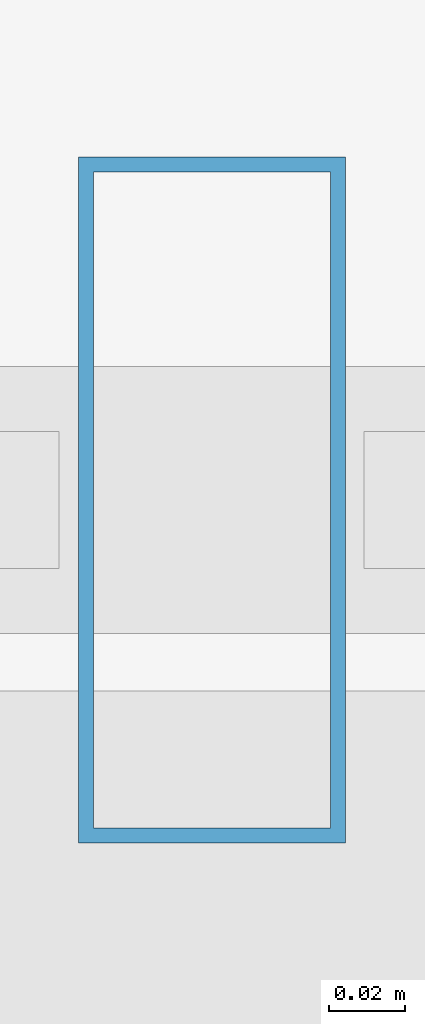
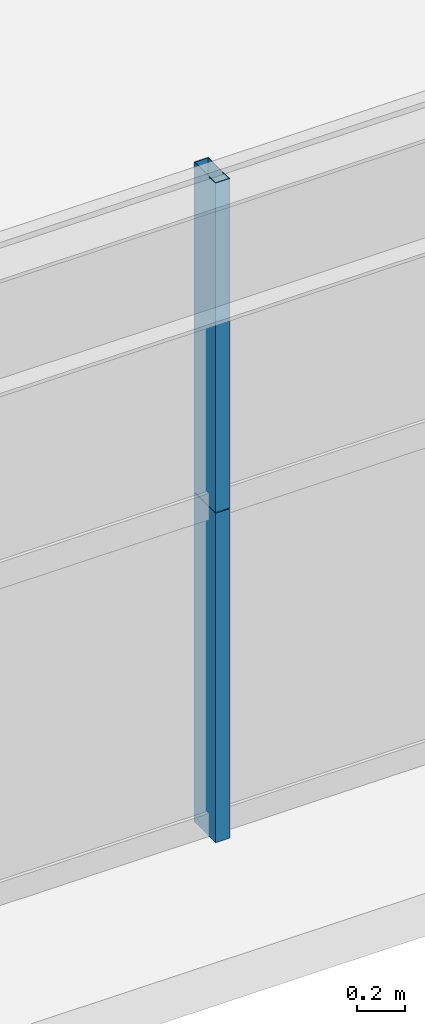
# One storey, part 14 of 45: 2 members, 1 element without a shape of its own.
"""IFC4 building model written with IfcOpenShell, lengths in metres."""

from ifc_helpers import new_model, si_unit, direction, frame, origin, origin_2d, place, context, subcontext, project, spatial, hollow_rectangle, extrude, source, transform, mapped, material, layer, layer_set, material_profile, profile_set, type_object, element, aggregate, save


model = new_model("IFC4")

# Units and contexts
model_context = context("Model", 3, precision=1e-05, world=origin(), true_north=direction((0.0, 1.0)))
body_context = subcontext(model_context, "Body", "Model", "MODEL_VIEW")
ifc_project = project(units=[si_unit("LENGTHUNIT", "METRE"), si_unit("AREAUNIT", "SQUARE_METRE"), si_unit("VOLUMEUNIT", "CUBIC_METRE"), si_unit("PLANEANGLEUNIT", "RADIAN"), si_unit("MASSUNIT", "GRAM", prefix="KILO"), si_unit("THERMODYNAMICTEMPERATUREUNIT", "KELVIN"), si_unit("POWERUNIT", "WATT")], contexts=[model_context])

# Site, building, storey
site_placement = place(None, origin())
site = spatial("IfcSite", under=ifc_project, at=site_placement, CompositionType="ELEMENT")
building_placement = place(site_placement, origin())
building = spatial("IfcBuilding", under=site, at=building_placement, Name="Yuzanri Waterfront Tower", CompositionType="ELEMENT")
storey_placement = place(building_placement, frame((0.0, 0.0, 34.199951171875)))
storey = spatial("IfcBuildingStorey", under=building, at=storey_placement, Name="L08", CompositionType="ELEMENT", Elevation=34.199951171875)

# Curtain wall, members
ifc_material_1 = material(Name="Anodized Architectural Bronze", Category="metal")
ifc_layer = layer(ifc_material_1, 0.159912109375)
ifc_layer_set = layer_set([ifc_layer], Name="Anodized Architectural Bronze")
curtain_wall_type = type_object("IfcCurtainWallType", Name="Anodized Bronze Hotel Lower-Tier Recessed Unitized Curtain Wall 8100", PredefinedType="NOTDEFINED", material=ifc_layer_set)
curtain_wall_placement = place(storey_placement, origin())
curtain_wall = element("IfcCurtainWall", 1, at=curtain_wall_placement, inside=storey, type_object=curtain_wall_type, Name="L08 Curtain Wall CW-L08-SR", PredefinedType="NOTDEFINED")
ifc_material_2 = material(Name="Anodized Architectural Bronze", Category="metal")
ifc_material_profile = material_profile(ifc_material_2, hollow_rectangle(XDim=0.070068359375, YDim=0.179931640625, WallThickness=0.00390625, at=origin_2d()), Name="CWM 70x180")
ifc_profile_set = profile_set([ifc_material_profile], Name="Anodized Architectural Bronze")
member_type = type_object("IfcMemberType", Name="Anodized Bronze Standard Curtain-Wall Mullion 70x180", PredefinedType="MULLION", material=ifc_profile_set)
shared_shape = source(origin(), body_context, "Body", "SweptSolid", [
    extrude(hollow_rectangle(XDim=0.070068359375, YDim=0.179931640625, WallThickness=0.00390625, at=origin_2d()), origin(), (0.0, 0.0, 1.0), 1.68798828125),
])
member_1_placement = place(storey_placement, frame((46.10009765625, 0.85009765625, 0.0), z_axis=(0.0, 0.0, 1.0), x_axis=(1.0, 0.0, 0.0)))
member_1 = element("IfcMember", 2, at=member_1_placement, type_object=member_type, Name="CW-L08-SR Lower Mullion 01", PredefinedType="MULLION", context=body_context, shape_type="MappedRepresentation", body=[
    mapped(shared_shape, transform((0.0, 0.0, 0.0), scale=1.0)),
])
member_2_placement = place(storey_placement, frame((46.10009765625, 0.85009765625, 1.692138671875), z_axis=(0.0, 0.0, 1.0), x_axis=(1.0, 0.0, 0.0)))
member_2 = element("IfcMember", 3, at=member_2_placement, type_object=member_type, Name="CW-L08-SR Upper Mullion 01", PredefinedType="MULLION", context=body_context, shape_type="MappedRepresentation", body=[
    mapped(shared_shape, transform((0.0, 0.0, 0.0), scale=1.0)),
])
aggregate(curtain_wall, [member_1, member_2])

save(model, "model.ifc")
